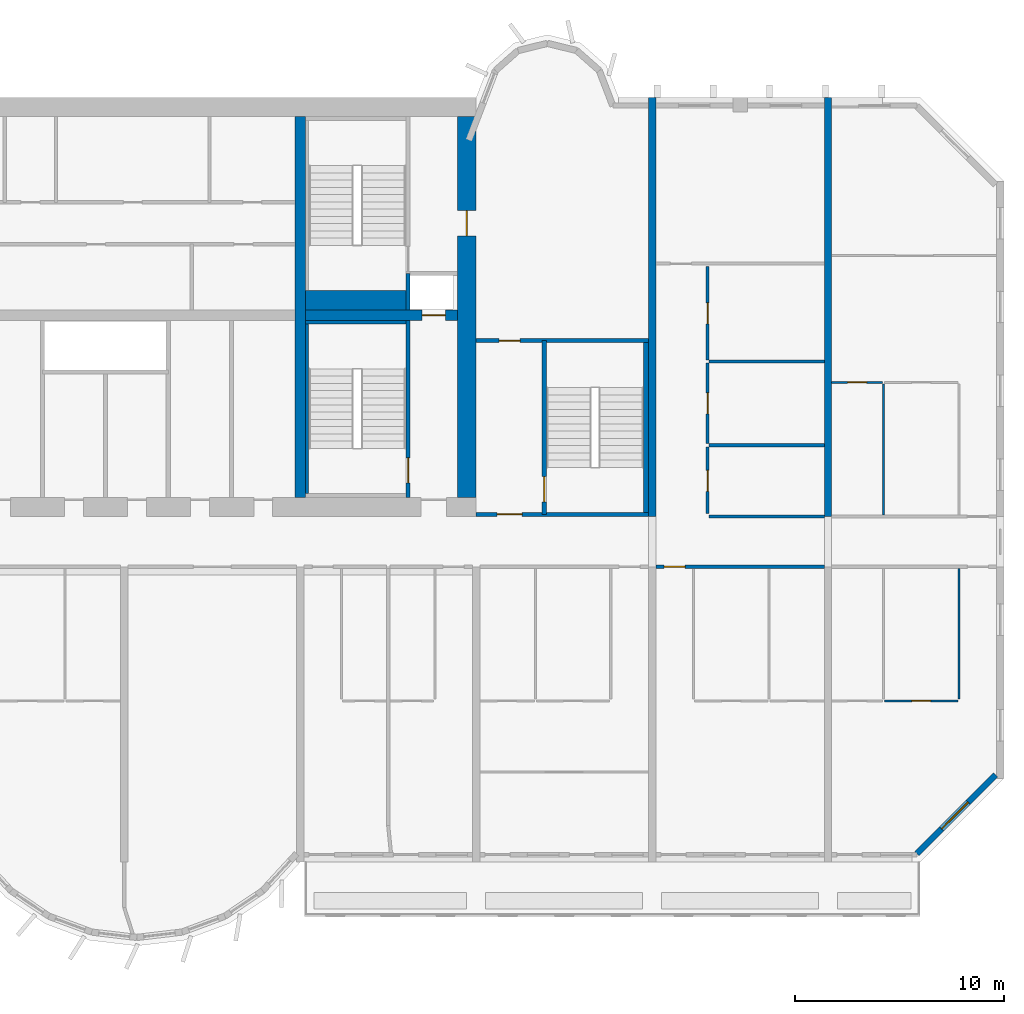
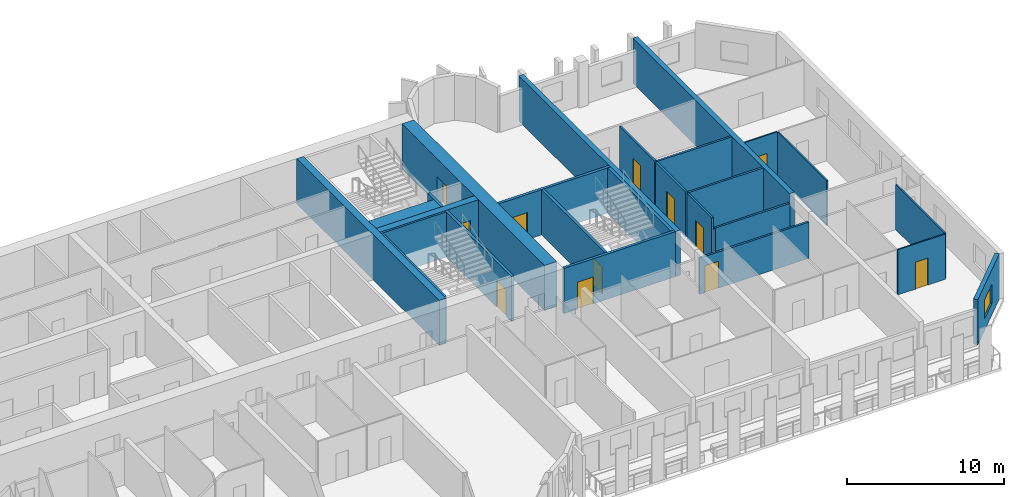
# One storey, part 9 of 14: 26 walls, 12 doors, 1 window, 13 openings.
"""IFC4 building model written with IfcOpenShell, lengths in metres."""

import ifcopenshell
import ifcopenshell.guid

model = None  # the IFC model being written
_history = None  # IfcOwnerHistory: only IFC2X3 demands one
_inside = {}  # id of a spatial element -> (the spatial element, [elements in it])
_under = {}  # id of a project, library or spatial element -> (it, [spatial elements below it])
_declared = {}  # id of a project -> (the project, [libraries it declares])
_typed = {}  # id of a type object -> (the type object, [elements of that type])
_made_of = {}  # id of a material, layer set ... -> (it, [elements and type objects made of it])


def new_model(schema):
    """Start an empty IFC model of exactly this schema.

    Asked for "IFC4X3", IfcOpenShell would pick the latest addendum, in which some entities
    have other attributes; the version numbers below select the first issue.
    IFC2X3 requires an IfcOwnerHistory on every rooted entity: one is made here for all.
    """
    global model, _history
    if schema == "IFC4X3":
        model = ifcopenshell.file(schema_version=(4, 3, 0, 0))
    else:
        model = ifcopenshell.file(schema=schema)
    _inside.clear()
    _under.clear()
    _declared.clear()
    _typed.clear()
    _made_of.clear()
    _history = None
    if model.schema == "IFC2X3":
        org = make("IfcOrganization", Name="unknown")
        user = make(
            "IfcPersonAndOrganization",
            ThePerson=make("IfcPerson", FamilyName="unknown"),
            TheOrganization=org,
        )
        app = make(
            "IfcApplication",
            ApplicationDeveloper=org,
            Version="unknown",
            ApplicationFullName="unknown",
            ApplicationIdentifier="unknown",
        )
        _history = make(
            "IfcOwnerHistory",
            OwningUser=user,
            OwningApplication=app,
            ChangeAction="ADDED",
            CreationDate=0,
        )
    return model


def make(cls, **values):
    """One entity of the class cls with the attributes given. An attribute that is None is left unset."""
    return model.create_entity(
        cls, **{name: value for name, value in values.items() if value is not None}
    )


def rooted(cls, **values):
    """An entity with a GlobalId (a new one), such as an element, a storey or a relation."""
    return make(cls, GlobalId=ifcopenshell.guid.new(), OwnerHistory=_history, **values)


def si_unit(unit_type, name, prefix=None):
    """IfcSIUnit, for example si_unit("LENGTHUNIT", "METRE", prefix="MILLI")."""
    return make("IfcSIUnit", UnitType=unit_type, Prefix=prefix, Name=name)


def assignment(units):
    """IfcUnitAssignment: the units of a project."""
    return None if units is None else make("IfcUnitAssignment", Units=units)


def point(xyz):
    """IfcCartesianPoint."""
    return None if xyz is None else make("IfcCartesianPoint", Coordinates=xyz)


def direction(xyz):
    """IfcDirection."""
    return None if xyz is None else make("IfcDirection", DirectionRatios=xyz)


def frame(location, z_axis=None, x_axis=None):
    """IfcAxis2Placement3D, a coordinate frame: its origin and axes. An axis left out is left unset."""
    return make(
        "IfcAxis2Placement3D",
        Location=point(location),
        Axis=direction(z_axis),
        RefDirection=direction(x_axis),
    )


def frame_2d(location, x_axis=None):
    """IfcAxis2Placement2D, a coordinate frame in the plane: its origin and x axis."""
    return make(
        "IfcAxis2Placement2D", Location=point(location), RefDirection=direction(x_axis)
    )


def origin():
    """The frame at (0, 0, 0) with its axes left unset."""
    return frame((0.0, 0.0, 0.0))


def place(relative_to, where):
    """IfcLocalPlacement: puts the frame where relative to a parent placement (None: the world)."""
    return make(
        "IfcLocalPlacement", PlacementRelTo=relative_to, RelativePlacement=where
    )


def context(
    kind, dimensions, precision=None, world=None, true_north=None, identifier=None
):
    """IfcGeometricRepresentationContext, for example the 3D "Model" context."""
    return make(
        "IfcGeometricRepresentationContext",
        ContextIdentifier=identifier,
        ContextType=kind,
        CoordinateSpaceDimension=dimensions,
        Precision=precision,
        WorldCoordinateSystem=world,
        TrueNorth=true_north,
    )


def subcontext(parent, identifier, kind, view, scale=None):
    """IfcGeometricRepresentationSubContext, for example "Body" below "Model"."""
    return make(
        "IfcGeometricRepresentationSubContext",
        ContextIdentifier=identifier,
        ContextType=kind,
        ParentContext=parent,
        TargetScale=scale,
        TargetView=view,
    )


def project(units=None, contexts=None):
    """IfcProject with its units and contexts."""
    return rooted(
        "IfcProject",
        Name="project",
        RepresentationContexts=contexts,
        UnitsInContext=assignment(units),
    )


def spatial(cls, under=None, at=None, **own):
    """A site, building, storey or space (cls), placed at a placement, below another one or the project."""
    s = rooted(cls, ObjectPlacement=at, **own)
    if under is not None:
        _under.setdefault(under.id(), (under, []))[1].append(s)
    return s


def profile(cls, at=None, kind="AREA", **sizes):
    """A parametric profile (cls). Its sizes go by their IFC names, for example OverallWidth=200.0."""
    return make(cls, ProfileType=kind, Position=at, **sizes)


def rectangle(**sizes):
    """IfcRectangleProfileDef."""
    return profile("IfcRectangleProfileDef", **sizes)


def extrude(swept, where, along, depth):
    """IfcExtrudedAreaSolid: the profile swept, set in the frame where, extruded along a direction by depth."""
    return make(
        "IfcExtrudedAreaSolid",
        SweptArea=swept,
        Position=where,
        ExtrudedDirection=direction(along),
        Depth=depth,
    )


def shape(context_of_items, identifier, shape_type, items):
    """IfcShapeRepresentation: the items that make up one representation, for example the "Body"."""
    return make(
        "IfcShapeRepresentation",
        ContextOfItems=context_of_items,
        RepresentationIdentifier=identifier,
        RepresentationType=shape_type,
        Items=items,
    )


def source(mapping_origin, context_of_items, identifier, shape_type, items):
    """IfcRepresentationMap: a shape defined once, which mapped items show again and again."""
    return make(
        "IfcRepresentationMap",
        MappingOrigin=mapping_origin,
        MappedRepresentation=shape(context_of_items, identifier, shape_type, items),
    )


def transform(
    local_origin,
    x_axis=None,
    y_axis=None,
    z_axis=None,
    scale=None,
    scale2=None,
    scale3=None,
    uniform=True,
):
    """IfcCartesianTransformationOperator3D, or its non-uniform kind. x_axis, y_axis, z_axis: its Axis1, 2, 3."""
    if uniform:
        return make(
            "IfcCartesianTransformationOperator3D",
            Axis1=direction(x_axis),
            Axis2=direction(y_axis),
            LocalOrigin=point(local_origin),
            Scale=scale,
            Axis3=direction(z_axis),
        )
    return make(
        "IfcCartesianTransformationOperator3DnonUniform",
        Axis1=direction(x_axis),
        Axis2=direction(y_axis),
        LocalOrigin=point(local_origin),
        Scale=scale,
        Axis3=direction(z_axis),
        Scale2=scale2,
        Scale3=scale3,
    )


def mapped(mapping_source, mapping_target):
    """IfcMappedItem: shows the shape of a source again, moved by a transform."""
    return make(
        "IfcMappedItem", MappingSource=mapping_source, MappingTarget=mapping_target
    )


def material(Name=None, Category=None):
    """IfcMaterial."""
    return make("IfcMaterial", Name=Name, Category=Category)


def layer(
    of_material, thickness, ventilated=None, Name=None, Category=None, Priority=None
):
    """IfcMaterialLayer: one layer of a wall or slab, of a material (None: an air gap)."""
    return make(
        "IfcMaterialLayer",
        Material=of_material,
        LayerThickness=thickness,
        IsVentilated=ventilated,
        Name=Name,
        Category=Category,
        Priority=Priority,
    )


def layer_set(layers, Name=None):
    """IfcMaterialLayerSet."""
    return make("IfcMaterialLayerSet", MaterialLayers=layers, LayerSetName=Name)


def made_of(thing, what):
    """Note that an element or type object is made of a material, layer set ...; save() writes the relation."""
    if what is not None:
        _made_of.setdefault(what.id(), (what, []))[1].append(thing)
    return thing


def type_object(cls, material=None, **own):
    """A type object (cls), such as IfcWallType, which elements share."""
    return made_of(rooted(cls, **own), material)


def element(
    cls,
    number,
    at=None,
    inside=None,
    cuts=None,
    type_object=None,
    material=None,
    context=None,
    identifier="Body",
    shape_type=None,
    held_by="IfcProductDefinitionShape",
    body=None,
    shapes=None,
    **own,
):
    """One element of the class cls, such as IfcWall. Its Tag is "e" and its number.

    at: its placement. inside: the storey or other place that contains it. cuts: it is an
    opening in that element (IfcRelVoidsElement). A single representation is given by context,
    identifier, shape_type and body (its items); several are given by shapes. held_by: the class
    of the entity that holds the representations. save() writes the other relations.
    """
    e = rooted(cls, Tag="e%d" % number, ObjectPlacement=at, **own)
    if body is not None:
        shapes = [shape(context, identifier, shape_type, body)]
    if shapes is not None:
        e.Representation = make(held_by, Representations=shapes)
    if inside is not None:
        _inside.setdefault(inside.id(), (inside, []))[1].append(e)
    if cuts is not None:
        rooted(
            "IfcRelVoidsElement", RelatingBuildingElement=cuts, RelatedOpeningElement=e
        )
    if type_object is not None:
        _typed.setdefault(type_object.id(), (type_object, []))[1].append(e)
    return made_of(e, material)


def fill(opening, filler):
    """IfcRelFillsElement: the door or window that sits in an opening."""
    return rooted(
        "IfcRelFillsElement",
        RelatingOpeningElement=opening,
        RelatedBuildingElement=filler,
    )


def aggregate(whole, parts):
    """IfcRelAggregates: a whole, such as a stair, and the parts it consists of."""
    return rooted("IfcRelAggregates", RelatingObject=whole, RelatedObjects=parts)


def save(model, path):
    """Write the relations noted so far, then the file.

    IfcRelAggregates (storeys below a building ...), IfcRelContainedInSpatialStructure (elements
    in a storey), IfcRelDefinesByType, IfcRelAssociatesMaterial and IfcRelDeclares: one each for
    every whole, place, type object, material and project.
    """
    for whole, parts in _under.values():
        aggregate(whole, parts)
    for where, things in _inside.values():
        rooted(
            "IfcRelContainedInSpatialStructure",
            RelatedElements=things,
            RelatingStructure=where,
        )
    for kind, things in _typed.values():
        rooted("IfcRelDefinesByType", RelatedObjects=things, RelatingType=kind)
    for what, things in _made_of.values():
        rooted("IfcRelAssociatesMaterial", RelatedObjects=things, RelatingMaterial=what)
    for by, libraries in _declared.values():
        rooted("IfcRelDeclares", RelatingContext=by, RelatedDefinitions=libraries)
    model.write(path)


model = new_model("IFC4")

# Units and contexts
model_context = context("Model", 3, precision=1e-05, world=origin(), true_north=direction((0.0, 1.0)))
body_context = subcontext(model_context, "Body", "Model", "MODEL_VIEW")
ifc_project = project(units=[si_unit("LENGTHUNIT", "METRE"), si_unit("AREAUNIT", "SQUARE_METRE"), si_unit("VOLUMEUNIT", "CUBIC_METRE"), si_unit("PLANEANGLEUNIT", "RADIAN"), si_unit("MASSUNIT", "GRAM", prefix="KILO")], contexts=[model_context])

# Site, building, storey
site_placement = place(None, origin())
site = spatial("IfcSite", under=ifc_project, at=site_placement, CompositionType="ELEMENT")
building_placement = place(site_placement, origin())
building = spatial("IfcBuilding", under=site, at=building_placement, Name="Vanashikhar Sky Hotel", CompositionType="ELEMENT")
storey_placement = place(building_placement, frame((0.0, 0.0, 114.199951171875)))
storey = spatial("IfcBuildingStorey", under=building, at=storey_placement, Name="L27", CompositionType="ELEMENT", Elevation=114.199951171875)

# Wall, opening, door
ifc_material_1 = material(Name="Concrete M70", Category="concrete")
ifc_layer_1 = layer(ifc_material_1, 0.89990234375)
ifc_layer_set_1 = layer_set([ifc_layer_1], Name="RC core shell wall 900 Concrete M70")
wall_type_1 = type_object("IfcWallType", Name="RC core shell wall 900 Concrete M70", PredefinedType="SHEAR", material=ifc_layer_set_1)
shared_shape_1 = source(origin(), body_context, "Body", "SweptSolid", [
    extrude(rectangle(XDim=18.2001953125, YDim=0.89990234375, at=frame_2d((9.10009765625, 0.0))), origin(), (0.0, 0.0, 1.0), 3.52001953125),
])
wall_1_placement = place(storey_placement, frame((75.14990234375, 22.89990234375, 0.0), z_axis=(0.0, 0.0, 1.0), x_axis=(0.0, 1.0, 0.0)))
wall_1 = element("IfcWall", 1, at=wall_1_placement, inside=storey, type_object=wall_type_1, Name="KW-L27-KE", PredefinedType="SHEAR", context=body_context, shape_type="MappedRepresentation", body=[
    mapped(shared_shape_1, transform((0.0, 0.0, 0.0), scale=1.0)),
])
shared_shape_2 = source(origin(), body_context, "Body", "SweptSolid", [
    extrude(rectangle(XDim=1.199951171875, YDim=2.10009765625, at=frame_2d((0.60009765625, 1.050048828125))), frame((0.0, 0.4599609375, 0.0), z_axis=(0.0, -1.0, 0.0), x_axis=(1.0, 0.0, 0.0)), (0.0, 0.0, 1.0), 0.919921875),
])
opening_1_placement = place(wall_1_placement, frame((12.5, 0.0, 0.0)))
opening_1 = element("IfcOpeningElement", 2, at=opening_1_placement, cuts=wall_1, Name="Opening DC-4-D", PredefinedType="OPENING", context=body_context, shape_type="MappedRepresentation", body=[
    mapped(shared_shape_2, transform((0.0, 0.0, 0.0), scale=1.0)),
])
ifc_material_2 = material(Name="Steel", Category="steel")
door_type_1 = type_object("IfcDoorType", Name="Service door 1200 FD120", OperationType="NOTDEFINED", PredefinedType="DOOR", material=ifc_material_2)
shared_shape_3 = source(origin(), body_context, "Body", "SweptSolid", [
    extrude(rectangle(XDim=1.199951171875, YDim=2.10009765625, at=frame_2d((0.60009765625, 1.050048828125))), frame((0.0, 0.02490234375, 0.0), z_axis=(0.0, -1.0, 0.0), x_axis=(1.0, 0.0, 0.0)), (0.0, 0.0, 1.0), 0.050048828125),
])
door_1_placement = place(opening_1_placement, origin())
door_1 = element("IfcDoor", 3, at=door_1_placement, inside=storey, type_object=door_type_1, Name="Service door 1200 FD120", OperationType="SINGLE_SWING_RIGHT", OverallHeight=2.10009765625, OverallWidth=1.199951171875, PredefinedType="DOOR", context=body_context, shape_type="MappedRepresentation", body=[
    mapped(shared_shape_3, transform((0.0, 0.0, 0.0), scale=1.0)),
])
fill(opening_1, door_1)

# Wall
ifc_layer_2 = layer(ifc_material_1, 0.5)
ifc_layer_set_2 = layer_set([ifc_layer_2], Name="RC core inner wall 500 Concrete M70")
wall_type_2 = type_object("IfcWallType", Name="RC core inner wall 500 Concrete M70", PredefinedType="SHEAR", material=ifc_layer_set_2)
shared_shape_4 = source(origin(), body_context, "Body", "SweptSolid", [
    extrude(rectangle(XDim=18.2001953125, YDim=0.5, at=frame_2d((9.10009765625, 0.0))), origin(), (0.0, 0.0, 1.0), 3.52001953125),
])
wall_2_placement = place(storey_placement, frame((67.199951171875, 22.89990234375, 0.0), z_axis=(0.0, 0.0, 1.0), x_axis=(0.0, 1.0, 0.0)))
element("IfcWall", 4, at=wall_2_placement, inside=storey, type_object=wall_type_2, Name="KW-L27-KX3", PredefinedType="SHEAR", context=body_context, shape_type="MappedRepresentation", body=[
    mapped(shared_shape_4, transform((0.0, 0.0, 0.0), scale=1.0)),
])

# Wall, opening, door
shared_shape_5 = source(origin(), body_context, "Body", "SweptSolid", [
    extrude(rectangle(XDim=7.25, YDim=0.5, at=frame_2d((3.625, 0.0))), origin(), (0.0, 0.0, 1.0), 3.52001953125),
])
wall_3_placement = place(storey_placement, frame((67.449951171875, 31.60009765625, 0.0), z_axis=(0.0, 0.0, 1.0), x_axis=(1.0, 0.0, 0.0)))
wall_3 = element("IfcWall", 5, at=wall_3_placement, inside=storey, type_object=wall_type_2, Name="KW-L27-KY4", PredefinedType="SHEAR", context=body_context, shape_type="MappedRepresentation", body=[
    mapped(shared_shape_5, transform((0.0, 0.0, 0.0), scale=1.0)),
])
shared_shape_6 = source(origin(), body_context, "Body", "SweptSolid", [
    extrude(rectangle(XDim=1.10009765625, YDim=2.10009765625, at=frame_2d((0.550048828125, 1.050048828125))), frame((0.0, 0.260009765625, 0.0), z_axis=(0.0, -1.0, 0.0), x_axis=(1.0, 0.0, 0.0)), (0.0, 0.0, 1.0), 0.52001953125),
])
opening_2_placement = place(wall_3_placement, frame((5.574951171875, 0.0, 0.0)))
opening_2 = element("IfcOpeningElement", 6, at=opening_2_placement, cuts=wall_3, Name="Opening LD", PredefinedType="OPENING", context=body_context, shape_type="MappedRepresentation", body=[
    mapped(shared_shape_6, transform((0.0, 0.0, 0.0), scale=1.0)),
])
ifc_material_3 = material(Name="Stainless steel", Category="steel")
door_type_2 = type_object("IfcDoorType", Name="Lift landing door 1100", OperationType="NOTDEFINED", PredefinedType="DOOR", material=ifc_material_3)
shared_shape_7 = source(origin(), body_context, "Body", "SweptSolid", [
    extrude(rectangle(XDim=1.10009765625, YDim=2.10009765625, at=frame_2d((0.550048828125, 1.050048828125))), frame((0.0, 0.02490234375, 0.0), z_axis=(0.0, -1.0, 0.0), x_axis=(1.0, 0.0, 0.0)), (0.0, 0.0, 1.0), 0.050048828125),
])
door_2_placement = place(opening_2_placement, origin())
door_2 = element("IfcDoor", 7, at=door_2_placement, inside=storey, type_object=door_type_2, Name="Lift landing door 1100", OperationType="SLIDING_TO_RIGHT", OverallHeight=2.10009765625, OverallWidth=1.10009765625, PredefinedType="DOOR", context=body_context, shape_type="MappedRepresentation", body=[
    mapped(shared_shape_7, transform((0.0, 0.0, 0.0), scale=1.0)),
])
fill(opening_2, door_2)

# Walls
ifc_layer_3 = layer(ifc_material_1, 0.35009765625)
ifc_layer_set_3 = layer_set([ifc_layer_3], Name="RC shear wall 350 Concrete M70")
wall_type_3 = type_object("IfcWallType", Name="RC shear wall 350 Concrete M70", PredefinedType="SHEAR", material=ifc_layer_set_3)
shared_shape_8 = source(origin(), body_context, "Body", "SweptSolid", [
    extrude(rectangle(XDim=20.0, YDim=0.35009765625, at=frame_2d((10.0, 0.0))), origin(), (0.0, 0.0, 1.0), 3.52001953125),
])
for number, where, z_axis, x_axis, name in (
    (8, (84.0, 22.0, 0.0), (0.0, 0.0, 1.0), (0.0, 1.0, 0.0), "CW-L27-XW11-2"),
    (9, (92.39990234375, 22.0, 0.0), (0.0, 0.0, 1.0), (0.0, 1.0, 0.0), "CW-L27-XW12-2"),
):
    element("IfcWall", number, at=place(storey_placement, frame(where, z_axis=z_axis, x_axis=x_axis)), inside=storey, type_object=wall_type_3, Name=name, PredefinedType="SHEAR", context=body_context, shape_type="MappedRepresentation", body=[
        mapped(shared_shape_8, transform((0.0, 0.0, 0.0), scale=1.0)),
    ])

# Wall, opening, window
ifc_material_4 = material(Name="Concrete M50", Category="concrete")
ifc_layer_4 = layer(ifc_material_4, 0.300048828125)
ifc_layer_set_4 = layer_set([ifc_layer_4], Name="Lobe wall 300")
wall_type_4 = type_object("IfcWallType", Name="Lobe wall 300", PredefinedType="SOLIDWALL", material=ifc_layer_set_4)
shared_shape_9 = source(origin(), body_context, "Body", "SweptSolid", [
    extrude(rectangle(XDim=5.32568359375, YDim=0.300048828125, at=frame_2d((2.662841796875, 0.0))), origin(), (0.0, 0.0, 1.0), 3.52001953125),
])
wall_4_placement = place(storey_placement, frame((96.63427734375, 5.89990234375, 0.0), z_axis=(0.0, 0.0, 1.0), x_axis=(0.707083859269, 0.707129702361, 0.0)))
wall_4 = element("IfcWall", 10, at=wall_4_placement, inside=storey, type_object=wall_type_4, Name="Corner wall", PredefinedType="SOLIDWALL", context=body_context, shape_type="MappedRepresentation", body=[
    mapped(shared_shape_9, transform((0.0, 0.0, 0.0), scale=1.0)),
])
shared_shape_10 = source(origin(), body_context, "Body", "SweptSolid", [
    extrude(rectangle(XDim=1.800048828125, YDim=1.5, at=frame_2d((0.89990234375, 0.75))), frame((0.0, 0.16015625, 0.0), z_axis=(0.0, -1.0, 0.0), x_axis=(1.0, 0.0, 0.0)), (0.0, 0.0, 1.0), 0.320068359375),
])
opening_3_placement = place(wall_4_placement, frame((1.671875, 0.0, 0.89990234375)))
opening_3 = element("IfcOpeningElement", 11, at=opening_3_placement, cuts=wall_4, Name="Opening WN-4", PredefinedType="OPENING", context=body_context, shape_type="MappedRepresentation", body=[
    mapped(shared_shape_10, transform((0.0, 0.0, 0.0), scale=1.0)),
])
ifc_material_5 = material(Name="Glass", Category="glass")
window_type = type_object("IfcWindowType", Name="Corner window 1800 x 1500", PartitioningType="SINGLE_PANEL", PredefinedType="WINDOW", material=ifc_material_5)
shared_shape_11 = source(origin(), body_context, "Body", "SweptSolid", [
    extrude(rectangle(XDim=1.800048828125, YDim=1.5, at=frame_2d((0.89990234375, 0.75))), frame((0.0, 0.030029296875, 0.0), z_axis=(0.0, -1.0, 0.0), x_axis=(1.0, 0.0, 0.0)), (0.0, 0.0, 1.0), 0.06005859375),
])
window_placement = place(opening_3_placement, origin())
window = element("IfcWindow", 12, at=window_placement, inside=storey, type_object=window_type, Name="Window WN-4", OverallHeight=1.5, OverallWidth=1.800048828125, PartitioningType="SINGLE_PANEL", PredefinedType="WINDOW", context=body_context, shape_type="MappedRepresentation", body=[
    mapped(shared_shape_11, transform((0.0, 0.0, 0.0), scale=1.0)),
])
fill(opening_3, window)

# Wall, opening, door
ifc_layer_5 = layer(ifc_material_4, 0.199951171875)
ifc_layer_set_5 = layer_set([ifc_layer_5], Name="Stair wall 200")
wall_type_5 = type_object("IfcWallType", Name="Stair wall 200", PredefinedType="SOLIDWALL", material=ifc_layer_set_5)
shared_shape_12 = source(origin(), body_context, "Body", "SweptSolid", [
    extrude(rectangle(XDim=8.2998046875, YDim=0.199951171875, at=frame_2d((4.14990234375, 0.0))), origin(), (0.0, 0.0, 1.0), 3.52001953125),
])
wall_5_placement = place(storey_placement, frame((78.85009765625, 22.10009765625, 0.0), z_axis=(0.0, 0.0, 1.0), x_axis=(0.0, 1.0, 0.0)))
wall_5 = element("IfcWall", 13, at=wall_5_placement, inside=storey, type_object=wall_type_5, Name="Stair wall 200", PredefinedType="SOLIDWALL", context=body_context, shape_type="MappedRepresentation", body=[
    mapped(shared_shape_12, transform((0.0, 0.0, 0.0), scale=1.0)),
])
shared_shape_13 = source(origin(), body_context, "Body", "SweptSolid", [
    extrude(rectangle(XDim=1.199951171875, YDim=2.10009765625, at=frame_2d((0.60009765625, 1.050048828125))), frame((0.0, 0.10986328125, 0.0), z_axis=(0.0, -1.0, 0.0), x_axis=(1.0, 0.0, 0.0)), (0.0, 0.0, 1.0), 0.219970703125),
])
opening_4_placement = place(wall_5_placement, frame((0.60009765625, 0.0, 0.0)))
opening_4 = element("IfcOpeningElement", 14, at=opening_4_placement, cuts=wall_5, Name="Opening DC-1", PredefinedType="OPENING", context=body_context, shape_type="MappedRepresentation", body=[
    mapped(shared_shape_13, transform((0.0, 0.0, 0.0), scale=1.0)),
])
door_type_3 = type_object("IfcDoorType", Name="Stair door 1200 FD120", OperationType="NOTDEFINED", PredefinedType="DOOR", material=ifc_material_2)
door_3_placement = place(opening_4_placement, origin())
door_3 = element("IfcDoor", 15, at=door_3_placement, inside=storey, type_object=door_type_3, Name="Stair door 1200 FD120", OperationType="SINGLE_SWING_LEFT", OverallHeight=2.10009765625, OverallWidth=1.199951171875, PredefinedType="DOOR", context=body_context, shape_type="MappedRepresentation", body=[
    mapped(shared_shape_3, transform((0.0, 0.0, 0.0), scale=1.0)),
])
fill(opening_4, door_3)

shared_shape_14 = source(origin(), body_context, "Body", "SweptSolid", [
    extrude(rectangle(XDim=8.4501953125, YDim=0.199951171875, at=frame_2d((4.22509765625, 0.0))), origin(), (0.0, 0.0, 1.0), 3.52001953125),
])
wall_6_placement = place(storey_placement, frame((72.35009765625, 22.89990234375, 0.0), z_axis=(0.0, 0.0, 1.0), x_axis=(0.0, 1.0, 0.0)))
wall_6 = element("IfcWall", 16, at=wall_6_placement, inside=storey, type_object=wall_type_5, Name="Stair wall 200", PredefinedType="SOLIDWALL", context=body_context, shape_type="MappedRepresentation", body=[
    mapped(shared_shape_14, transform((0.0, 0.0, 0.0), scale=1.0)),
])
opening_5_placement = place(wall_6_placement, frame((0.699951171875, 0.0, 0.0)))
opening_5 = element("IfcOpeningElement", 17, at=opening_5_placement, cuts=wall_6, Name="Opening DC-1", PredefinedType="OPENING", context=body_context, shape_type="MappedRepresentation", body=[
    mapped(shared_shape_13, transform((0.0, 0.0, 0.0), scale=1.0)),
])
door_4_placement = place(opening_5_placement, origin())
door_4 = element("IfcDoor", 18, at=door_4_placement, inside=storey, type_object=door_type_3, Name="Stair door 1200 FD120", OperationType="SINGLE_SWING_RIGHT", OverallHeight=2.10009765625, OverallWidth=1.199951171875, PredefinedType="DOOR", context=body_context, shape_type="MappedRepresentation", body=[
    mapped(shared_shape_3, transform((0.0, 0.0, 0.0), scale=1.0)),
])
fill(opening_5, door_4)

# Wall
ifc_material_6 = material(Name="Concrete M40", Category="concrete")
ifc_layer_6 = layer(ifc_material_6, 0.199951171875)
ifc_layer_set_6 = layer_set([ifc_layer_6], Name="Shaft wall 200")
wall_type_6 = type_object("IfcWallType", Name="Shaft wall 200", PredefinedType="SOLIDWALL", material=ifc_layer_set_6)
shared_shape_15 = source(origin(), body_context, "Body", "SweptSolid", [
    extrude(rectangle(XDim=1.75, YDim=0.199951171875, at=frame_2d((0.875, 0.0))), origin(), (0.0, 0.0, 1.0), 3.52001953125),
])
wall_7_placement = place(storey_placement, frame((72.35009765625, 31.85009765625, 0.0), z_axis=(0.0, 0.0, 1.0), x_axis=(0.0, 1.0, 0.0)))
element("IfcWall", 19, at=wall_7_placement, inside=storey, type_object=wall_type_6, Name="Shaft wall 200", PredefinedType="SOLIDWALL", context=body_context, shape_type="MappedRepresentation", body=[
    mapped(shared_shape_15, transform((0.0, 0.0, 0.0), scale=1.0)),
])

# Wall, opening, door
shared_shape_16 = source(origin(), body_context, "Body", "SweptSolid", [
    extrude(rectangle(XDim=8.224853515625, YDim=0.199951171875, at=frame_2d((4.1123046875, 0.0))), origin(), (0.0, 0.0, 1.0), 3.52001953125),
])
wall_8_placement = place(storey_placement, frame((83.824951171875, 22.10009765625, 0.0), z_axis=(0.0, 0.0, 1.0), x_axis=(-1.0, 0.0, 0.0)))
wall_8 = element("IfcWall", 20, at=wall_8_placement, inside=storey, type_object=wall_type_5, Name="Stair wall 200", PredefinedType="SOLIDWALL", context=body_context, shape_type="MappedRepresentation", body=[
    mapped(shared_shape_16, transform((0.0, 0.0, 0.0), scale=1.0)),
])
opening_6_placement = place(wall_8_placement, frame((6.02490234375, 0.0, 0.0)))
opening_6 = element("IfcOpeningElement", 21, at=opening_6_placement, cuts=wall_8, Name="Opening DC-2", PredefinedType="OPENING", context=body_context, shape_type="MappedRepresentation", body=[
    mapped(shared_shape_13, transform((0.0, 0.0, 0.0), scale=1.0)),
])
door_type_4 = type_object("IfcDoorType", Name="Firefighting lobby door 1200 FD120", OperationType="NOTDEFINED", PredefinedType="DOOR", material=ifc_material_2)
door_5_placement = place(opening_6_placement, origin())
door_5 = element("IfcDoor", 22, at=door_5_placement, inside=storey, type_object=door_type_4, Name="Firefighting lobby door 1200 FD120", OperationType="SINGLE_SWING_RIGHT", OverallHeight=2.10009765625, OverallWidth=1.199951171875, PredefinedType="DOOR", context=body_context, shape_type="MappedRepresentation", body=[
    mapped(shared_shape_3, transform((0.0, 0.0, 0.0), scale=1.0)),
])
fill(opening_6, door_5)

wall_9_placement = place(storey_placement, frame((83.824951171875, 30.39990234375, 0.0), z_axis=(0.0, 0.0, 1.0), x_axis=(-1.0, 0.0, 0.0)))
wall_9 = element("IfcWall", 23, at=wall_9_placement, inside=storey, type_object=wall_type_5, Name="Stair wall 200", PredefinedType="SOLIDWALL", context=body_context, shape_type="MappedRepresentation", body=[
    mapped(shared_shape_16, transform((0.0, 0.0, 0.0), scale=1.0)),
])
shared_shape_17 = source(origin(), body_context, "Body", "SweptSolid", [
    extrude(rectangle(XDim=1.0, YDim=2.10009765625, at=frame_2d((0.5, 1.050048828125))), frame((0.0, 0.10986328125, 0.0), z_axis=(0.0, -1.0, 0.0), x_axis=(1.0, 0.0, 0.0)), (0.0, 0.0, 1.0), 0.219970703125),
])
opening_7_placement = place(wall_9_placement, frame((6.125, 0.0, 0.0)))
opening_7 = element("IfcOpeningElement", 24, at=opening_7_placement, cuts=wall_9, Name="Opening DC-6", PredefinedType="OPENING", context=body_context, shape_type="MappedRepresentation", body=[
    mapped(shared_shape_17, transform((0.0, 0.0, 0.0), scale=1.0)),
])
door_type_5 = type_object("IfcDoorType", Name="Pocket door 1000 FD60", OperationType="NOTDEFINED", PredefinedType="DOOR", material=ifc_material_2)
shared_shape_18 = source(origin(), body_context, "Body", "SweptSolid", [
    extrude(rectangle(XDim=1.0, YDim=2.10009765625, at=frame_2d((0.5, 1.050048828125))), frame((0.0, 0.02490234375, 0.0), z_axis=(0.0, -1.0, 0.0), x_axis=(1.0, 0.0, 0.0)), (0.0, 0.0, 1.0), 0.050048828125),
])
door_6_placement = place(opening_7_placement, origin())
door_6 = element("IfcDoor", 25, at=door_6_placement, inside=storey, type_object=door_type_5, Name="Pocket door 1000 FD60", OperationType="SINGLE_SWING_RIGHT", OverallHeight=2.10009765625, OverallWidth=1.0, PredefinedType="DOOR", context=body_context, shape_type="MappedRepresentation", body=[
    mapped(shared_shape_18, transform((0.0, 0.0, 0.0), scale=1.0)),
])
fill(opening_7, door_6)

# Walls
ifc_layer_7 = layer(ifc_material_4, 0.14990234375)
ifc_layer_set_7 = layer_set([ifc_layer_7], Name="Stair infill wall 150")
wall_type_7 = type_object("IfcWallType", Name="Stair infill wall 150", PredefinedType="SOLIDWALL", material=ifc_layer_set_7)
shared_shape_19 = source(origin(), body_context, "Body", "SweptSolid", [
    extrude(rectangle(XDim=4.800048828125, YDim=0.14990234375, at=frame_2d((2.39990234375, 0.0))), origin(), (0.0, 0.0, 1.0), 3.52001953125),
])
wall_10_placement = place(storey_placement, frame((67.449951171875, 31.27490234375, 0.0), z_axis=(0.0, 0.0, 1.0), x_axis=(1.0, 0.0, 0.0)))
element("IfcWall", 26, at=wall_10_placement, inside=storey, type_object=wall_type_7, Name="Stair infill wall 150", PredefinedType="SOLIDWALL", context=body_context, shape_type="MappedRepresentation", body=[
    mapped(shared_shape_19, transform((0.0, 0.0, 0.0), scale=1.0)),
])
shared_shape_20 = source(origin(), body_context, "Body", "SweptSolid", [
    extrude(rectangle(XDim=8.099853515625, YDim=0.14990234375, at=frame_2d((4.0498046875, 0.0))), origin(), (0.0, 0.0, 1.0), 3.52001953125),
])
wall_11_placement = place(storey_placement, frame((67.52490234375, 23.10009765625, 0.0), z_axis=(0.0, 0.0, 1.0), x_axis=(0.0, 1.0, 0.0)))
element("IfcWall", 27, at=wall_11_placement, inside=storey, type_object=wall_type_7, Name="Stair infill wall 150", PredefinedType="SOLIDWALL", context=body_context, shape_type="MappedRepresentation", body=[
    mapped(shared_shape_20, transform((0.0, 0.0, 0.0), scale=1.0)),
])
ifc_layer_8 = layer(ifc_material_4, 0.22509765625)
ifc_layer_set_8 = layer_set([ifc_layer_8], Name="Stair infill wall 225")
wall_type_8 = type_object("IfcWallType", Name="Stair infill wall 225", PredefinedType="SOLIDWALL", material=ifc_layer_set_8)
shared_shape_21 = source(origin(), body_context, "Body", "SweptSolid", [
    extrude(rectangle(XDim=8.10009765625, YDim=0.22509765625, at=frame_2d((4.050048828125, 0.0))), origin(), (0.0, 0.0, 1.0), 3.52001953125),
])
wall_12_placement = place(storey_placement, frame((83.712890625, 22.199951171875, 0.0), z_axis=(0.0, 0.0, 1.0), x_axis=(0.0, 1.0, 0.0)))
element("IfcWall", 28, at=wall_12_placement, inside=storey, type_object=wall_type_8, Name="Stair infill wall 225", PredefinedType="SOLIDWALL", context=body_context, shape_type="MappedRepresentation", body=[
    mapped(shared_shape_21, transform((0.0, 0.0, 0.0), scale=1.0)),
])
ifc_layer_9 = layer(ifc_material_4, 0.949951171875)
ifc_layer_set_9 = layer_set([ifc_layer_9], Name="Stair infill wall 950")
wall_type_9 = type_object("IfcWallType", Name="Stair infill wall 950", PredefinedType="SOLIDWALL", material=ifc_layer_set_9)
shared_shape_22 = source(origin(), body_context, "Body", "SweptSolid", [
    extrude(rectangle(XDim=4.800048828125, YDim=0.949951171875, at=frame_2d((2.39990234375, 0.0))), origin(), (0.0, 0.0, 1.0), 3.52001953125),
])
wall_13_placement = place(storey_placement, frame((67.449951171875, 32.324951171875, 0.0), z_axis=(0.0, 0.0, 1.0), x_axis=(1.0, 0.0, 0.0)))
element("IfcWall", 29, at=wall_13_placement, inside=storey, type_object=wall_type_9, Name="Stair infill wall 950", PredefinedType="SOLIDWALL", context=body_context, shape_type="MappedRepresentation", body=[
    mapped(shared_shape_22, transform((0.0, 0.0, 0.0), scale=1.0)),
])

# Wall, opening, door
ifc_material_7 = material(Name="Gypsum plasterboard partition")
ifc_layer_10 = layer(ifc_material_7, 0.10009765625)
ifc_layer_set_10 = layer_set([ifc_layer_10], Name="Wet room partition 100")
wall_type_10 = type_object("IfcWallType", Name="Wet room partition 100", PredefinedType="PARTITIONING", material=ifc_layer_set_10)
shared_shape_23 = source(origin(), body_context, "Body", "SweptSolid", [
    extrude(rectangle(XDim=3.5, YDim=0.10009765625, at=frame_2d((1.75, 0.0))), origin(), (0.0, 0.0, 1.0), 3.52001953125),
])
wall_14_placement = place(storey_placement, frame((95.10009765625, 13.199951171875, 0.0), z_axis=(0.0, 0.0, 1.0), x_axis=(1.0, 0.0, 0.0)))
wall_14 = element("IfcWall", 30, at=wall_14_placement, inside=storey, type_object=wall_type_10, Name="W-L27-PW054", PredefinedType="PARTITIONING", context=body_context, shape_type="MappedRepresentation", body=[
    mapped(shared_shape_23, transform((0.0, 0.0, 0.0), scale=1.0)),
])
shared_shape_24 = source(origin(), body_context, "Body", "SweptSolid", [
    extrude(rectangle(XDim=0.89990234375, YDim=2.10009765625, at=frame_2d((0.449951171875, 1.050048828125))), frame((0.0, 0.06005859375, 0.0), z_axis=(0.0, -1.0, 0.0), x_axis=(1.0, 0.0, 0.0)), (0.0, 0.0, 1.0), 0.1201171875),
])
opening_8_placement = place(wall_14_placement, frame((1.300048828125, 0.0, 0.0)))
opening_8 = element("IfcOpeningElement", 31, at=opening_8_placement, cuts=wall_14, Name="Opening D-02", PredefinedType="OPENING", context=body_context, shape_type="MappedRepresentation", body=[
    mapped(shared_shape_24, transform((0.0, 0.0, 0.0), scale=1.0)),
])
ifc_material_8 = material(Name="Timber door", Category="wood")
door_type_6 = type_object("IfcDoorType", Name="Internal door 900", OperationType="NOTDEFINED", PredefinedType="DOOR", material=ifc_material_8)
shared_shape_25 = source(origin(), body_context, "Body", "SweptSolid", [
    extrude(rectangle(XDim=0.89990234375, YDim=2.10009765625, at=frame_2d((0.449951171875, 1.050048828125))), frame((0.0, 0.02490234375, 0.0), z_axis=(0.0, -1.0, 0.0), x_axis=(1.0, 0.0, 0.0)), (0.0, 0.0, 1.0), 0.050048828125),
])
door_7_placement = place(opening_8_placement, origin())
door_7 = element("IfcDoor", 32, at=door_7_placement, inside=storey, type_object=door_type_6, Name="D-L27-033", OperationType="SINGLE_SWING_RIGHT", OverallHeight=2.10009765625, OverallWidth=0.89990234375, PredefinedType="DOOR", context=body_context, shape_type="MappedRepresentation", body=[
    mapped(shared_shape_25, transform((0.0, 0.0, 0.0), scale=1.0)),
])
fill(opening_8, door_7)

# Walls
shared_shape_26 = source(origin(), body_context, "Body", "SweptSolid", [
    extrude(rectangle(XDim=6.25, YDim=0.10009765625, at=frame_2d((3.125, 0.0))), origin(), (0.0, 0.0, 1.0), 3.52001953125),
])
for number, where, z_axis, x_axis, name in (
    (33, (98.64990234375, 13.27490234375, 0.0), (0.0, 0.0, 1.0), (0.0, 1.0, 0.0), "W-L27-PW052"),
    (34, (95.050048828125, 22.074951171875, 0.0), (0.0, 0.0, 1.0), (0.0, 1.0, 0.0), "W-L27-PW079"),
):
    element("IfcWall", number, at=place(storey_placement, frame(where, z_axis=z_axis, x_axis=x_axis)), inside=storey, type_object=wall_type_10, Name=name, PredefinedType="PARTITIONING", context=body_context, shape_type="MappedRepresentation", body=[
        mapped(shared_shape_26, transform((0.0, 0.0, 0.0), scale=1.0)),
    ])

# Wall, opening, door
ifc_layer_11 = layer(ifc_material_7, 0.14990234375)
ifc_layer_set_11 = layer_set([ifc_layer_11], Name="Corridor and demising partition 150")
wall_type_11 = type_object("IfcWallType", Name="Corridor and demising partition 150", PredefinedType="PARTITIONING", material=ifc_layer_set_11)
shared_shape_27 = source(origin(), body_context, "Body", "SweptSolid", [
    extrude(rectangle(XDim=3.175048828125, YDim=0.14990234375, at=frame_2d((1.58740234375, 0.0))), origin(), (0.0, 0.0, 1.0), 3.52001953125),
])
wall_15_placement = place(storey_placement, frame((86.64990234375, 22.14990234375, 0.0), z_axis=(0.0, 0.0, 1.0), x_axis=(0.0, 1.0, 0.0)))
wall_15 = element("IfcWall", 35, at=wall_15_placement, inside=storey, type_object=wall_type_11, Name="W-L27-PW072", PredefinedType="PARTITIONING", context=body_context, shape_type="MappedRepresentation", body=[
    mapped(shared_shape_27, transform((0.0, 0.0, 0.0), scale=1.0)),
])
shared_shape_28 = source(origin(), body_context, "Body", "SweptSolid", [
    extrude(rectangle(XDim=1.0, YDim=2.10009765625, at=frame_2d((0.5, 1.050048828125))), frame((0.0, 0.0849609375, 0.0), z_axis=(0.0, -1.0, 0.0), x_axis=(1.0, 0.0, 0.0)), (0.0, 0.0, 1.0), 0.169921875),
])
opening_9_placement = place(wall_15_placement, frame((1.050048828125, 0.0, 0.0)))
opening_9 = element("IfcOpeningElement", 36, at=opening_9_placement, cuts=wall_15, Name="Opening D-01", PredefinedType="OPENING", context=body_context, shape_type="MappedRepresentation", body=[
    mapped(shared_shape_28, transform((0.0, 0.0, 0.0), scale=1.0)),
])
ifc_material_9 = material(Name="Timber fire door", Category="wood")
door_type_7 = type_object("IfcDoorType", Name="Guest entry door 1000 FD30S", OperationType="NOTDEFINED", PredefinedType="DOOR", material=ifc_material_9)
door_8_placement = place(opening_9_placement, origin())
door_8 = element("IfcDoor", 37, at=door_8_placement, inside=storey, type_object=door_type_7, Name="D-L27-043", OperationType="SINGLE_SWING_LEFT", OverallHeight=2.10009765625, OverallWidth=1.0, PredefinedType="DOOR", context=body_context, shape_type="MappedRepresentation", body=[
    mapped(shared_shape_18, transform((0.0, 0.0, 0.0), scale=1.0)),
])
fill(opening_9, door_8)

shared_shape_29 = source(origin(), body_context, "Body", "SweptSolid", [
    extrude(rectangle(XDim=3.849853515625, YDim=0.14990234375, at=frame_2d((1.9248046875, 0.0))), origin(), (0.0, 0.0, 1.0), 3.52001953125),
])
wall_16_placement = place(storey_placement, frame((86.64990234375, 25.47509765625, 0.0), z_axis=(0.0, 0.0, 1.0), x_axis=(0.0, 1.0, 0.0)))
wall_16 = element("IfcWall", 38, at=wall_16_placement, inside=storey, type_object=wall_type_11, Name="W-L27-PW074", PredefinedType="PARTITIONING", context=body_context, shape_type="MappedRepresentation", body=[
    mapped(shared_shape_29, transform((0.0, 0.0, 0.0), scale=1.0)),
])
opening_10_placement = place(wall_16_placement, frame((1.425048828125, 0.0, 0.0)))
opening_10 = element("IfcOpeningElement", 39, at=opening_10_placement, cuts=wall_16, Name="Opening D-01", PredefinedType="OPENING", context=body_context, shape_type="MappedRepresentation", body=[
    mapped(shared_shape_28, transform((0.0, 0.0, 0.0), scale=1.0)),
])
door_9_placement = place(opening_10_placement, origin())
door_9 = element("IfcDoor", 40, at=door_9_placement, inside=storey, type_object=door_type_7, Name="D-L27-044", OperationType="SINGLE_SWING_LEFT", OverallHeight=2.10009765625, OverallWidth=1.0, PredefinedType="DOOR", context=body_context, shape_type="MappedRepresentation", body=[
    mapped(shared_shape_18, transform((0.0, 0.0, 0.0), scale=1.0)),
])
fill(opening_10, door_9)

shared_shape_30 = source(origin(), body_context, "Body", "SweptSolid", [
    extrude(rectangle(XDim=4.449951171875, YDim=0.14990234375, at=frame_2d((2.22509765625, 0.0))), origin(), (0.0, 0.0, 1.0), 3.52001953125),
])
wall_17_placement = place(storey_placement, frame((86.64990234375, 29.47509765625, 0.0), z_axis=(0.0, 0.0, 1.0), x_axis=(0.0, 1.0, 0.0)))
wall_17 = element("IfcWall", 41, at=wall_17_placement, inside=storey, type_object=wall_type_11, Name="W-L27-PW076", PredefinedType="PARTITIONING", context=body_context, shape_type="MappedRepresentation", body=[
    mapped(shared_shape_30, transform((0.0, 0.0, 0.0), scale=1.0)),
])
opening_11_placement = place(wall_17_placement, frame((1.72509765625, 0.0, 0.0)))
opening_11 = element("IfcOpeningElement", 42, at=opening_11_placement, cuts=wall_17, Name="Opening D-01", PredefinedType="OPENING", context=body_context, shape_type="MappedRepresentation", body=[
    mapped(shared_shape_28, transform((0.0, 0.0, 0.0), scale=1.0)),
])
door_10_placement = place(opening_11_placement, origin())
door_10 = element("IfcDoor", 43, at=door_10_placement, inside=storey, type_object=door_type_7, Name="D-L27-045", OperationType="SINGLE_SWING_LEFT", OverallHeight=2.10009765625, OverallWidth=1.0, PredefinedType="DOOR", context=body_context, shape_type="MappedRepresentation", body=[
    mapped(shared_shape_18, transform((0.0, 0.0, 0.0), scale=1.0)),
])
fill(opening_11, door_10)

shared_shape_31 = source(origin(), body_context, "Body", "SweptSolid", [
    extrude(rectangle(XDim=8.050048828125, YDim=0.14990234375, at=frame_2d((4.02490234375, 0.0))), origin(), (0.0, 0.0, 1.0), 2.820068359375),
])
wall_18_placement = place(storey_placement, frame((84.175048828125, 19.60009765625, 0.0), z_axis=(0.0, 0.0, 1.0), x_axis=(1.0, 0.0, 0.0)))
wall_18 = element("IfcWall", 44, at=wall_18_placement, inside=storey, type_object=wall_type_11, Name="W-L27-PW051", PredefinedType="PARTITIONING", context=body_context, shape_type="MappedRepresentation", body=[
    mapped(shared_shape_31, transform((0.0, 0.0, 0.0), scale=1.0)),
])
opening_12_placement = place(wall_18_placement, frame((0.39990234375, 0.0, 0.0)))
opening_12 = element("IfcOpeningElement", 45, at=opening_12_placement, cuts=wall_18, Name="Opening D-01", PredefinedType="OPENING", context=body_context, shape_type="MappedRepresentation", body=[
    mapped(shared_shape_28, transform((0.0, 0.0, 0.0), scale=1.0)),
])
door_11_placement = place(opening_12_placement, origin())
door_11 = element("IfcDoor", 46, at=door_11_placement, inside=storey, type_object=door_type_7, Name="D-L27-032", OperationType="SINGLE_SWING_LEFT", OverallHeight=2.10009765625, OverallWidth=1.0, PredefinedType="DOOR", context=body_context, shape_type="MappedRepresentation", body=[
    mapped(shared_shape_18, transform((0.0, 0.0, 0.0), scale=1.0)),
])
fill(opening_12, door_11)

# Walls
shared_shape_32 = source(origin(), body_context, "Body", "SweptSolid", [
    extrude(rectangle(XDim=5.5, YDim=0.14990234375, at=frame_2d((2.75, 0.0))), origin(), (0.0, 0.0, 1.0), 2.820068359375),
])
wall_19_placement = place(storey_placement, frame((86.72509765625, 22.0, 0.0), z_axis=(0.0, 0.0, 1.0), x_axis=(1.0, 0.0, 0.0)))
element("IfcWall", 47, at=wall_19_placement, inside=storey, type_object=wall_type_11, Name="W-L27-PW071", PredefinedType="PARTITIONING", context=body_context, shape_type="MappedRepresentation", body=[
    mapped(shared_shape_32, transform((0.0, 0.0, 0.0), scale=1.0)),
])
shared_shape_33 = source(origin(), body_context, "Body", "SweptSolid", [
    extrude(rectangle(XDim=5.5, YDim=0.14990234375, at=frame_2d((2.75, 0.0))), origin(), (0.0, 0.0, 1.0), 3.52001953125),
])
for number, where, z_axis, x_axis, name in (
    (48, (86.72509765625, 25.39990234375, 0.0), (0.0, 0.0, 1.0), (1.0, 0.0, 0.0), "W-L27-PW073"),
    (49, (86.72509765625, 29.39990234375, 0.0), (0.0, 0.0, 1.0), (1.0, 0.0, 0.0), "W-L27-PW075"),
):
    element("IfcWall", number, at=place(storey_placement, frame(where, z_axis=z_axis, x_axis=x_axis)), inside=storey, type_object=wall_type_11, Name=name, PredefinedType="PARTITIONING", context=body_context, shape_type="MappedRepresentation", body=[
        mapped(shared_shape_33, transform((0.0, 0.0, 0.0), scale=1.0)),
    ])

# Wall, opening, door
shared_shape_34 = source(origin(), body_context, "Body", "SweptSolid", [
    extrude(rectangle(XDim=2.425048828125, YDim=0.10009765625, at=frame_2d((1.21240234375, 0.0))), origin(), (0.0, 0.0, 1.0), 3.52001953125),
])
wall_20_placement = place(storey_placement, frame((92.574951171875, 28.39990234375, 0.0), z_axis=(0.0, 0.0, 1.0), x_axis=(1.0, 0.0, 0.0)))
wall_20 = element("IfcWall", 50, at=wall_20_placement, inside=storey, type_object=wall_type_10, Name="W-L27-PW081", PredefinedType="PARTITIONING", context=body_context, shape_type="MappedRepresentation", body=[
    mapped(shared_shape_34, transform((0.0, 0.0, 0.0), scale=1.0)),
])
opening_13_placement = place(wall_20_placement, frame((0.762939453125, 0.0, 0.0)))
opening_13 = element("IfcOpeningElement", 51, at=opening_13_placement, cuts=wall_20, Name="Opening D-02", PredefinedType="OPENING", context=body_context, shape_type="MappedRepresentation", body=[
    mapped(shared_shape_24, transform((0.0, 0.0, 0.0), scale=1.0)),
])
door_12_placement = place(opening_13_placement, origin())
door_12 = element("IfcDoor", 52, at=door_12_placement, inside=storey, type_object=door_type_6, Name="D-L27-048", OperationType="SINGLE_SWING_RIGHT", OverallHeight=2.10009765625, OverallWidth=0.89990234375, PredefinedType="DOOR", context=body_context, shape_type="MappedRepresentation", body=[
    mapped(shared_shape_25, transform((0.0, 0.0, 0.0), scale=1.0)),
])
fill(opening_13, door_12)

save(model, "model.ifc")
